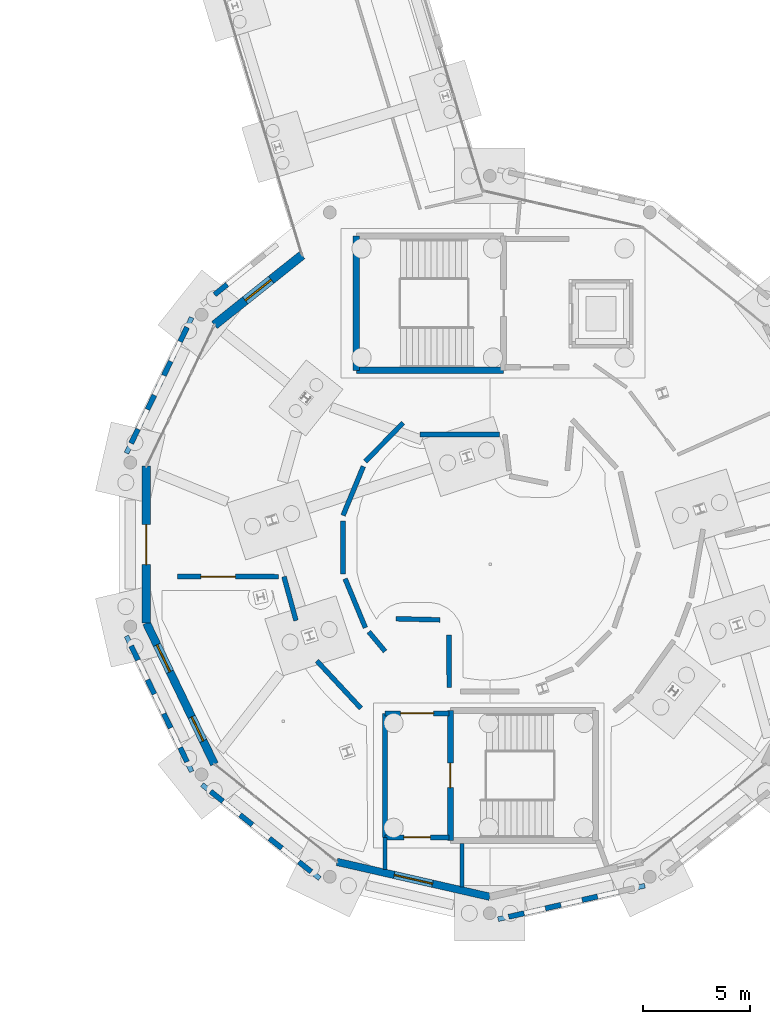
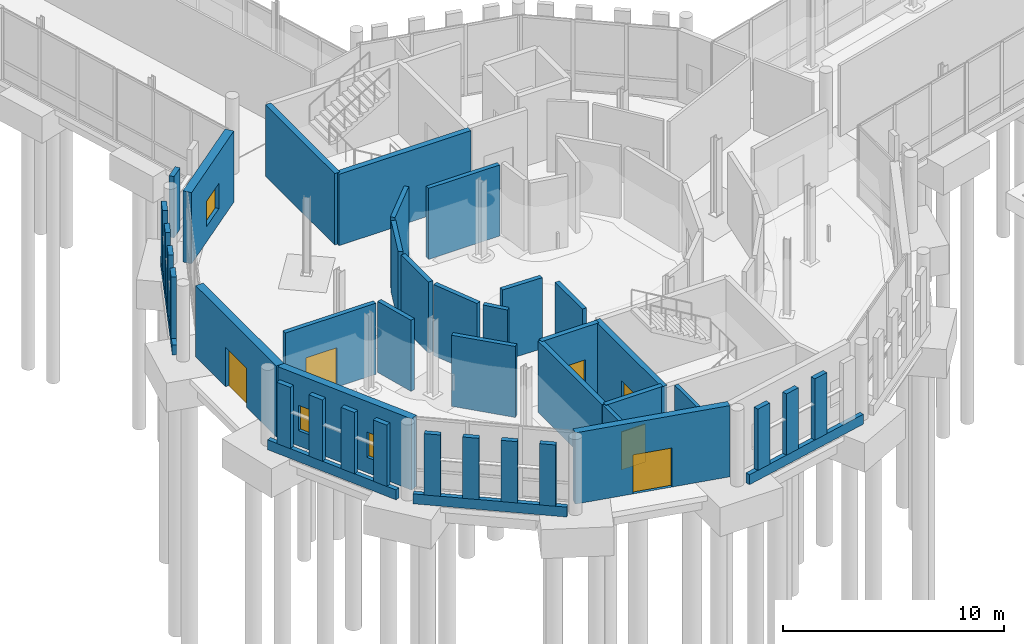
# One storey, part 78 of 113: 43 walls, 6 doors, 3 windows, 9 openings.
"""IFC4 building model written with IfcOpenShell, lengths in metres."""

from ifc_helpers import new_model, si_unit, direction, frame, frame_2d, origin, place, context, subcontext, project, spatial, rectangle, extrude, material, layer, layer_set, type_object, element, fill, save


model = new_model("IFC4")

# Units and contexts
model_context = context("Model", 3, precision=1e-05, world=origin(), true_north=direction((0.0, 1.0)))
body_context = subcontext(model_context, "Body", "Model", "MODEL_VIEW")
ifc_project = project(units=[si_unit("LENGTHUNIT", "METRE"), si_unit("AREAUNIT", "SQUARE_METRE"), si_unit("VOLUMEUNIT", "CUBIC_METRE"), si_unit("PLANEANGLEUNIT", "RADIAN"), si_unit("MASSUNIT", "GRAM", prefix="KILO")], contexts=[model_context])

# Site, building, storey
site_placement = place(None, origin())
site = spatial("IfcSite", under=ifc_project, at=site_placement, CompositionType="ELEMENT")
building_placement = place(site_placement, origin())
building = spatial("IfcBuilding", under=site, at=building_placement, Name="Wrenclough Park School", CompositionType="ELEMENT")
storey_placement = place(building_placement, origin())
storey = spatial("IfcBuildingStorey", under=building, at=storey_placement, Name="L00", CompositionType="ELEMENT", Elevation=0.0)

# Walls
ifc_material_1 = material(Name="Perforated open-bond Staffordshire and Manchester brick screen pier", Category="masonry")
ifc_layer_1 = layer(ifc_material_1, 0.2451171875)
ifc_layer_set_1 = layer_set([ifc_layer_1], Name="Perforated open-bond Staffordshire and Manchester brick screen pier")
wall_type_1 = type_object("IfcWallType", Name="ENV-BS-PR245", PredefinedType="ELEMENTEDWALL", material=ifc_layer_set_1)
wall_1_placement = place(storey_placement, frame((24.213134765625, 35.667724609375, 0.550048828125), z_axis=(0.0, 0.0, 1.0), x_axis=(-0.781839347248, -0.623479939609, 0.0)))
element("IfcWall", 1, at=wall_1_placement, inside=storey, type_object=wall_type_1, Name="D2 L00 perforated brick screen pier 0062", PredefinedType="ELEMENTEDWALL", context=body_context, shape_type="SweptSolid", body=[
    extrude(rectangle(XDim=0.760009765625, YDim=0.2451171875, at=frame_2d((0.3798828125, 0.0))), origin(), (0.0, 0.0, 1.0), 3.389892578125),
])
for number, where, z_axis, x_axis, name in (
    (2, (22.333984375, 33.665283203125, 0.550048828125), (0.0, 0.0, 1.0), (-0.433835457528, -0.900992117497, 0.0), "D2 L00 perforated brick screen pier 0063"),
    (3, (21.569580078125, 32.078125, 0.550048828125), (0.0, 0.0, 1.0), (-0.433835457528, -0.900992117497, 0.0), "D2 L00 perforated brick screen pier 0064"),
    (4, (20.805419921875, 30.49072265625, 0.550048828125), (0.0, 0.0, 1.0), (-0.434232252623, -0.90080094959, 0.0), "D2 L00 perforated brick screen pier 0065"),
):
    element("IfcWall", number, at=place(storey_placement, frame(where, z_axis=z_axis, x_axis=x_axis)), inside=storey, type_object=wall_type_1, Name=name, PredefinedType="ELEMENTEDWALL", context=body_context, shape_type="SweptSolid", body=[
        extrude(rectangle(XDim=0.739990234375, YDim=0.2451171875, at=frame_2d((0.3701171875, 0.0))), origin(), (0.0, 0.0, 1.0), 3.389892578125),
    ])
wall_2_placement = place(storey_placement, frame((20.041015625, 28.903564453125, 0.550048828125), z_axis=(0.0, 0.0, 1.0), x_axis=(-0.434103218961, -0.900863139044, 0.0)))
element("IfcWall", 5, at=wall_2_placement, inside=storey, type_object=wall_type_1, Name="D2 L00 perforated brick screen pier 0066", PredefinedType="ELEMENTEDWALL", context=body_context, shape_type="SweptSolid", body=[
    extrude(rectangle(XDim=0.740234375, YDim=0.2451171875, at=frame_2d((0.3701171875, 0.0))), origin(), (0.0, 0.0, 1.0), 3.389892578125),
])
for number, where, z_axis, x_axis, name in (
    (6, (19.719970703125, 18.76318359375, 0.550048828125), (0.0, 0.0, 1.0), (0.433835457528, -0.900992117497, 0.0), "D2 L00 perforated brick screen pier 0067"),
    (7, (20.484130859375, 17.17578125, 0.550048828125), (0.0, 0.0, 1.0), (0.434232252623, -0.90080094959, 0.0), "D2 L00 perforated brick screen pier 0068"),
    (8, (21.24853515625, 15.588623046875, 0.550048828125), (0.0, 0.0, 1.0), (0.433835457528, -0.900992117497, 0.0), "D2 L00 perforated brick screen pier 0069"),
    (9, (22.012939453125, 14.00146484375, 0.550048828125), (0.0, 0.0, 1.0), (0.433835457528, -0.900992117497, 0.0), "D2 L00 perforated brick screen pier 0070"),
    (10, (23.4365234375, 11.95166015625, 0.550048828125), (0.0, 0.0, 1.0), (0.781833401173, -0.623487395872, 0.0), "D2 L00 perforated brick screen pier 0071"),
    (11, (24.814208984375, 10.853271484375, 0.550048828125), (0.0, 0.0, 1.0), (0.781705112218, -0.623648232205, 0.0), "D2 L00 perforated brick screen pier 0072"),
    (12, (26.19140625, 9.754638671875, 0.550048828125), (0.0, 0.0, 1.0), (0.781833401173, -0.623487395872, 0.0), "D2 L00 perforated brick screen pier 0073"),
    (13, (27.56884765625, 8.65625, 0.550048828125), (0.0, 0.0, 1.0), (0.781833401173, -0.623487395872, 0.0), "D2 L00 perforated brick screen pier 0074"),
):
    element("IfcWall", number, at=place(storey_placement, frame(where, z_axis=z_axis, x_axis=x_axis)), inside=storey, type_object=wall_type_1, Name=name, PredefinedType="ELEMENTEDWALL", context=body_context, shape_type="SweptSolid", body=[
        extrude(rectangle(XDim=0.739990234375, YDim=0.2451171875, at=frame_2d((0.3701171875, 0.0))), origin(), (0.0, 0.0, 1.0), 3.389892578125),
    ])
wall_3_placement = place(storey_placement, frame((37.384521484375, 6.08642578125, 0.550048828125), z_axis=(0.0, 0.0, 1.0), x_axis=(0.974872842026, 0.2227620746, 0.0)))
element("IfcWall", 14, at=wall_3_placement, inside=storey, type_object=wall_type_1, Name="D2 L00 perforated brick screen pier 0075", PredefinedType="ELEMENTEDWALL", context=body_context, shape_type="SweptSolid", body=[
    extrude(rectangle(XDim=0.73974609375, YDim=0.2451171875, at=frame_2d((0.369873046875, 0.0))), origin(), (0.0, 0.0, 1.0), 3.389892578125),
])
wall_4_placement = place(storey_placement, frame((39.101806640625, 6.478515625, 0.550048828125), z_axis=(0.0, 0.0, 1.0), x_axis=(0.974960788757, 0.222376843189, 0.0)))
element("IfcWall", 15, at=wall_4_placement, inside=storey, type_object=wall_type_1, Name="D2 L00 perforated brick screen pier 0076", PredefinedType="ELEMENTEDWALL", context=body_context, shape_type="SweptSolid", body=[
    extrude(rectangle(XDim=0.739990234375, YDim=0.2451171875, at=frame_2d((0.3701171875, 0.0))), origin(), (0.0, 0.0, 1.0), 3.389892578125),
])
wall_5_placement = place(storey_placement, frame((40.819091796875, 6.87060546875, 0.550048828125), z_axis=(0.0, 0.0, 1.0), x_axis=(0.974977096703, 0.222305332604, 0.0)))
element("IfcWall", 16, at=wall_5_placement, inside=storey, type_object=wall_type_1, Name="D2 L00 perforated brick screen pier 0077", PredefinedType="ELEMENTEDWALL", context=body_context, shape_type="SweptSolid", body=[
    extrude(rectangle(XDim=0.740234375, YDim=0.2451171875, at=frame_2d((0.3701171875, 0.0))), origin(), (0.0, 0.0, 1.0), 3.389892578125),
])
ifc_material_2 = material(Name="Open-bond Manchester multi-stock brick spandrel screen", Category="masonry")
ifc_layer_2 = layer(ifc_material_2, 0.22509765625)
ifc_layer_set_2 = layer_set([ifc_layer_2], Name="Open-bond Manchester multi-stock brick spandrel screen")
wall_type_2 = type_object("IfcWallType", Name="ENV-BS-SP225", PredefinedType="ELEMENTEDWALL", material=ifc_layer_set_2)
for number, where, z_axis, x_axis, name in (
    (17, (22.5556640625, 34.12548828125, 0.0), (0.0, 0.0, 1.0), (-0.433873953058, -0.900973580555, 0.0), "D2 L00 open-bond brick screen spandrel 0016"),
    (18, (19.498291015625, 19.223388671875, 0.0), (0.0, 0.0, 1.0), (0.433873953058, -0.900973580555, 0.0), "D2 L00 open-bond brick screen spandrel 0017"),
):
    element("IfcWall", number, at=place(storey_placement, frame(where, z_axis=z_axis, x_axis=x_axis)), inside=storey, type_object=wall_type_2, Name=name, PredefinedType="ELEMENTEDWALL", context=body_context, shape_type="SweptSolid", body=[
        extrude(rectangle(XDim=7.046630859375, YDim=0.22509765625, at=frame_2d((3.5234375, 0.0))), origin(), (0.0, 0.0, 1.0), 0.550048828125),
    ])
wall_6_placement = place(storey_placement, frame((23.037109375, 12.270263671875, 0.0), z_axis=(0.0, 0.0, 1.0), x_axis=(0.781821002863, -0.623502942641, 0.0)))
element("IfcWall", 19, at=wall_6_placement, inside=storey, type_object=wall_type_2, Name="D2 L00 open-bond brick screen spandrel 0018", PredefinedType="ELEMENTEDWALL", context=body_context, shape_type="SweptSolid", body=[
    extrude(rectangle(XDim=7.04736328125, YDim=0.22509765625, at=frame_2d((3.523681640625, 0.0))), origin(), (0.0, 0.0, 1.0), 0.550048828125),
])
wall_7_placement = place(storey_placement, frame((36.886474609375, 5.972900390625, 0.0), z_axis=(0.0, 0.0, 1.0), x_axis=(0.974930278984, 0.222510564064, 0.0)))
element("IfcWall", 20, at=wall_7_placement, inside=storey, type_object=wall_type_2, Name="D2 L00 open-bond brick screen spandrel 0019", PredefinedType="ELEMENTEDWALL", context=body_context, shape_type="SweptSolid", body=[
    extrude(rectangle(XDim=7.04638671875, YDim=0.22509765625, at=frame_2d((3.523193359375, 0.0))), origin(), (0.0, 0.0, 1.0), 0.550048828125),
])

# Wall, opening, door
ifc_material_3 = material(Name="Staffordshire blue-grey brick and Concrete C35/45 inner leaf", Category="masonry")
ifc_layer_3 = layer(ifc_material_3, 0.35009765625)
ifc_layer_set_3 = layer_set([ifc_layer_3], Name="Staffordshire blue-grey brick and Concrete C35/45 inner leaf")
wall_type_3 = type_object("IfcWallType", Name="ENV-EW-350", PredefinedType="SOLIDWALL", material=ifc_layer_set_3)
wall_8_placement = place(storey_placement, frame((36.5, 7.023193359375, 0.0), z_axis=(0.0, 0.0, 1.0), x_axis=(-0.974932633187, 0.222500248868, 0.0)))
wall_8 = element("IfcWall", 21, at=wall_8_placement, inside=storey, type_object=wall_type_3, Name="L00 insulated brick external wall 0002", PredefinedType="SOLIDWALL", context=body_context, shape_type="SweptSolid", body=[
    extrude(rectangle(XDim=7.3330078125, YDim=0.35009765625, at=frame_2d((3.66650390625, 0.0))), origin(), (0.0, 0.0, 1.0), 3.93994140625),
])
opening_1_placement = place(wall_8_placement, frame((2.74658203125, 0.0, 0.0)))
opening_1 = element("IfcOpeningElement", 22, at=opening_1_placement, cuts=wall_8, Name="Opening EX-05", PredefinedType="OPENING", context=body_context, shape_type="SweptSolid", body=[
    extrude(rectangle(XDim=1.840087890625, YDim=2.159912109375, at=frame_2d((0.919921875, 1.080078125))), frame((0.0, 0.18505859375, 0.0), z_axis=(0.0, -1.0, 0.0), x_axis=(1.0, 0.0, 0.0)), (0.0, 0.0, 1.0), 0.3701171875),
])
ifc_material_4 = material(Name="Thermally broken powder-coated aluminium and laminated safety glass", Category="aluminium")
door_type_1 = type_object("IfcDoorType", Name="DR-EX184", OperationType="NOTDEFINED", PredefinedType="DOOR", material=ifc_material_4)
door_1_placement = place(opening_1_placement, origin())
door_1 = element("IfcDoor", 23, at=door_1_placement, inside=storey, type_object=door_type_1, Name="Pedestrian final exit door EX-05", OperationType="DOUBLE_DOOR_SINGLE_SWING", OverallHeight=2.159912109375, OverallWidth=1.840087890625, PredefinedType="DOOR", context=body_context, shape_type="SweptSolid", body=[
    extrude(rectangle(XDim=1.840087890625, YDim=2.159912109375, at=frame_2d((0.919921875, 1.080078125))), frame((0.0, 0.02490234375, 0.0), z_axis=(0.0, -1.0, 0.0), x_axis=(1.0, 0.0, 0.0)), (0.0, 0.0, 1.0), 0.050048828125),
])
fill(opening_1, door_1)

# Wall, openings, windows
ifc_material_5 = material(Name="Manchester multi-stock brick and Concrete C35/45 inner leaf", Category="masonry")
ifc_layer_4 = layer(ifc_material_5, 0.3798828125)
ifc_layer_set_4 = layer_set([ifc_layer_4], Name="Manchester multi-stock brick and Concrete C35/45 inner leaf")
wall_type_4 = type_object("IfcWallType", Name="ENV-EW-380", PredefinedType="SOLIDWALL", material=ifc_layer_set_4)
wall_9_placement = place(storey_placement, frame((23.617919921875, 13.226806640625, 0.0), z_axis=(0.0, 0.0, 1.0), x_axis=(-0.433886691468, 0.900967446119, 0.0)))
wall_9 = element("IfcWall", 24, at=wall_9_placement, inside=storey, type_object=wall_type_4, Name="L00 insulated brick external wall 0003", PredefinedType="SOLIDWALL", context=body_context, shape_type="SweptSolid", body=[
    extrude(rectangle(XDim=7.332763671875, YDim=0.3798828125, at=frame_2d((3.66650390625, 0.0))), origin(), (0.0, 0.0, 1.0), 3.93994140625),
])
opening_2_placement = place(wall_9_placement, frame((1.208251953125, 0.0, 0.85009765625)))
opening_2 = element("IfcOpeningElement", 25, at=opening_2_placement, cuts=wall_9, Name="Opening WN-04", PredefinedType="OPENING", context=body_context, shape_type="SweptSolid", body=[
    extrude(rectangle(XDim=1.25, YDim=1.39990234375, at=frame_2d((0.625, 0.699951171875))), frame((0.0, 0.199951171875, 0.0), z_axis=(0.0, -1.0, 0.0), x_axis=(1.0, 0.0, 0.0)), (0.0, 0.0, 1.0), 0.39990234375),
])
opening_3_placement = place(wall_9_placement, frame((4.7998046875, 0.0, 0.85009765625)))
opening_3 = element("IfcOpeningElement", 26, at=opening_3_placement, cuts=wall_9, Name="Opening WN-05", PredefinedType="OPENING", context=body_context, shape_type="SweptSolid", body=[
    extrude(rectangle(XDim=1.39990234375, YDim=1.39990234375, at=frame_2d((0.699951171875, 0.699951171875))), frame((0.0, 0.199951171875, 0.0), z_axis=(0.0, -1.0, 0.0), x_axis=(1.0, 0.0, 0.0)), (0.0, 0.0, 1.0), 0.39990234375),
])
ifc_material_6 = material(Name="Thermally broken aluminium and double-glazed low-e glass", Category="aluminium")
window_type_1 = type_object("IfcWindowType", Name="ENV-WN-04", PartitioningType="SINGLE_PANEL", PredefinedType="WINDOW", material=ifc_material_6)
window_1_placement = place(opening_2_placement, origin())
window_1 = element("IfcWindow", 27, at=window_1_placement, inside=storey, type_object=window_type_1, Name="L00 scheduled facade window 0003", OverallHeight=1.39990234375, OverallWidth=1.25, PartitioningType="SINGLE_PANEL", PredefinedType="WINDOW", context=body_context, shape_type="SweptSolid", body=[
    extrude(rectangle(XDim=1.25, YDim=1.39990234375, at=frame_2d((0.625, 0.699951171875))), frame((0.0, 0.030029296875, 0.0), z_axis=(0.0, -1.0, 0.0), x_axis=(1.0, 0.0, 0.0)), (0.0, 0.0, 1.0), 0.06005859375),
])
fill(opening_2, window_1)
window_type_2 = type_object("IfcWindowType", Name="ENV-WN-05", PartitioningType="SINGLE_PANEL", PredefinedType="WINDOW", material=ifc_material_6)
window_2_placement = place(opening_3_placement, origin())
window_2 = element("IfcWindow", 28, at=window_2_placement, inside=storey, type_object=window_type_2, Name="L00 scheduled facade window 0004", OverallHeight=1.39990234375, OverallWidth=1.39990234375, PartitioningType="SINGLE_PANEL", PredefinedType="WINDOW", context=body_context, shape_type="SweptSolid", body=[
    extrude(rectangle(XDim=1.39990234375, YDim=1.39990234375, at=frame_2d((0.699951171875, 0.699951171875))), frame((0.0, 0.030029296875, 0.0), z_axis=(0.0, -1.0, 0.0), x_axis=(1.0, 0.0, 0.0)), (0.0, 0.0, 1.0), 0.06005859375),
])
fill(opening_3, window_2)

# Wall, opening, door
ifc_material_7 = material(Name="Staffordshire blue-grey brick and Concrete C40/50 acoustic leaf", Category="masonry")
ifc_layer_5 = layer(ifc_material_7, 0.39990234375)
ifc_layer_set_5 = layer_set([ifc_layer_5], Name="Staffordshire blue-grey brick and Concrete C40/50 acoustic leaf")
wall_type_5 = type_object("IfcWallType", Name="ENV-EW-400", PredefinedType="SOLIDWALL", material=ifc_layer_set_5)
wall_10_placement = place(storey_placement, frame((20.436279296875, 19.83349609375, 0.0), z_axis=(0.0, 0.0, 1.0), x_axis=(0.0, 1.0, 0.0)))
wall_10 = element("IfcWall", 29, at=wall_10_placement, inside=storey, type_object=wall_type_5, Name="L00 insulated brick external wall 0004", PredefinedType="SOLIDWALL", context=body_context, shape_type="SweptSolid", body=[
    extrude(rectangle(XDim=7.3330078125, YDim=0.39990234375, at=frame_2d((3.66650390625, 0.0))), origin(), (0.0, 0.0, 1.0), 3.93994140625),
])
opening_4_placement = place(wall_10_placement, frame((2.726318359375, 0.0, 0.0)))
opening_4 = element("IfcOpeningElement", 30, at=opening_4_placement, cuts=wall_10, Name="Opening EX-04", PredefinedType="OPENING", context=body_context, shape_type="SweptSolid", body=[
    extrude(rectangle(XDim=1.8798828125, YDim=2.179931640625, at=frame_2d((0.93994140625, 1.08984375))), frame((0.0, 0.2099609375, 0.0), z_axis=(0.0, -1.0, 0.0), x_axis=(1.0, 0.0, 0.0)), (0.0, 0.0, 1.0), 0.419921875),
])
door_type_2 = type_object("IfcDoorType", Name="DR-EX188", OperationType="NOTDEFINED", PredefinedType="DOOR", material=ifc_material_4)
door_2_placement = place(opening_4_placement, origin())
door_2 = element("IfcDoor", 31, at=door_2_placement, inside=storey, type_object=door_type_2, Name="Pedestrian final exit door EX-04", OperationType="DOUBLE_DOOR_SINGLE_SWING", OverallHeight=2.179931640625, OverallWidth=1.8798828125, PredefinedType="DOOR", context=body_context, shape_type="SweptSolid", body=[
    extrude(rectangle(XDim=1.8798828125, YDim=2.179931640625, at=frame_2d((0.93994140625, 1.08984375))), frame((0.0, 0.02490234375, 0.0), z_axis=(0.0, -1.0, 0.0), x_axis=(1.0, 0.0, 0.0)), (0.0, 0.0, 1.0), 0.050048828125),
])
fill(opening_4, door_2)

# Wall, opening, window
ifc_material_8 = material(Name="Insulated brick-clad sports hall wall Concrete C40/50", Category="masonry")
ifc_layer_6 = layer(ifc_material_8, 0.425048828125)
ifc_layer_set_6 = layer_set([ifc_layer_6], Name="Insulated brick-clad sports hall wall Concrete C40/50")
wall_type_6 = type_object("IfcWallType", Name="ENV-EW-425", PredefinedType="SOLIDWALL", material=ifc_layer_set_6)
wall_11_placement = place(storey_placement, frame((23.617919921875, 33.773193359375, 0.0), z_axis=(0.0, 0.0, 1.0), x_axis=(0.781826790272, 0.623495685641, 0.0)))
wall_11 = element("IfcWall", 32, at=wall_11_placement, inside=storey, type_object=wall_type_6, Name="L00 insulated brick external wall 0005", PredefinedType="SOLIDWALL", context=body_context, shape_type="SweptSolid", body=[
    extrude(rectangle(XDim=5.2412109375, YDim=0.425048828125, at=frame_2d((2.62060546875, 0.0))), origin(), (0.0, 0.0, 1.0), 3.93994140625),
])
opening_5_placement = place(wall_11_placement, frame((1.845458984375, 0.0, 0.85009765625)))
opening_5 = element("IfcOpeningElement", 33, at=opening_5_placement, cuts=wall_11, Name="Opening WN-06", PredefinedType="OPENING", context=body_context, shape_type="SweptSolid", body=[
    extrude(rectangle(XDim=1.550048828125, YDim=1.39990234375, at=frame_2d((0.77490234375, 0.699951171875))), frame((0.0, 0.222412109375, 0.0), z_axis=(0.0, -1.0, 0.0), x_axis=(1.0, 0.0, 0.0)), (0.0, 0.0, 1.0), 0.445068359375),
])
window_type_3 = type_object("IfcWindowType", Name="ENV-WN-06", PartitioningType="DOUBLE_PANEL_VERTICAL", PredefinedType="WINDOW", material=ifc_material_6)
window_3_placement = place(opening_5_placement, origin())
window_3 = element("IfcWindow", 34, at=window_3_placement, inside=storey, type_object=window_type_3, Name="L00 scheduled facade window 0005", OverallHeight=1.39990234375, OverallWidth=1.550048828125, PartitioningType="SINGLE_PANEL", PredefinedType="WINDOW", context=body_context, shape_type="SweptSolid", body=[
    extrude(rectangle(XDim=1.550048828125, YDim=1.39990234375, at=frame_2d((0.77490234375, 0.699951171875))), frame((0.0, 0.030029296875, 0.0), z_axis=(0.0, -1.0, 0.0), x_axis=(1.0, 0.0, 0.0)), (0.0, 0.0, 1.0), 0.06005859375),
])
fill(opening_5, window_3)

# Wall, opening, door
ifc_material_9 = material(Name="Concrete C35/45", Category="concrete")
ifc_layer_7 = layer(ifc_material_9, 0.25)
ifc_layer_set_7 = layer_set([ifc_layer_7], Name="Concrete C35/45")
wall_type_7 = type_object("IfcWallType", Name="INT-CW-250", PredefinedType="SHEAR", material=ifc_layer_set_7)
wall_12_placement = place(storey_placement, frame((31.60009765625, 9.800048828125, 0.0), z_axis=(0.0, 0.0, 1.0), x_axis=(1.0, 0.0, 0.0)))
wall_12 = element("IfcWall", 35, at=wall_12_placement, inside=storey, type_object=wall_type_7, Name="Core C2B L00 lobby fire wall south", PredefinedType="SHEAR", context=body_context, shape_type="SweptSolid", body=[
    extrude(rectangle(XDim=3.0, YDim=0.25, at=frame_2d((1.5, 0.0))), origin(), (0.0, 0.0, 1.0), 3.949951171875),
])
opening_6_placement = place(wall_12_placement, frame((0.875, 0.0, 0.0)))
opening_6 = element("IfcOpeningElement", 36, at=opening_6_placement, cuts=wall_12, Name="Opening DEP-C2B-L00", PredefinedType="OPENING", context=body_context, shape_type="SweptSolid", body=[
    extrude(rectangle(XDim=1.25, YDim=2.10009765625, at=frame_2d((0.625, 1.050048828125))), frame((0.0, 0.135009765625, 0.0), z_axis=(0.0, -1.0, 0.0), x_axis=(1.0, 0.0, 0.0)), (0.0, 0.0, 1.0), 0.27001953125),
])
ifc_material_10 = material(Name="Wide protected escape stair fire door assembly", Category="wood")
door_type_3 = type_object("IfcDoorType", Name="INT-DR-ST125", OperationType="NOTDEFINED", PredefinedType="DOOR", material=ifc_material_10)
door_3_placement = place(opening_6_placement, frame((1.25, 0.0, 0.0), z_axis=(0.0, 0.0, 1.0), x_axis=(-1.0, 0.0, 0.0)))
door_3 = element("IfcDoor", 37, at=door_3_placement, inside=storey, type_object=door_type_3, Name="Core C2B L00 protected exit passageway fire door", OperationType="SINGLE_SWING_LEFT", OverallHeight=2.10009765625, OverallWidth=1.25, PredefinedType="DOOR", context=body_context, shape_type="SweptSolid", body=[
    extrude(rectangle(XDim=1.25, YDim=2.10009765625, at=frame_2d((0.625, 1.050048828125))), frame((0.0, 0.02490234375, 0.0), z_axis=(0.0, -1.0, 0.0), x_axis=(1.0, 0.0, 0.0)), (0.0, 0.0, 1.0), 0.050048828125),
])
fill(opening_6, door_3)

wall_13_placement = place(storey_placement, frame((34.60009765625, 15.60009765625, 0.0), z_axis=(0.0, 0.0, 1.0), x_axis=(-1.0, 0.0, 0.0)))
wall_13 = element("IfcWall", 38, at=wall_13_placement, inside=storey, type_object=wall_type_7, Name="Core C2B L00 lobby fire wall north", PredefinedType="SHEAR", context=body_context, shape_type="SweptSolid", body=[
    extrude(rectangle(XDim=3.0, YDim=0.25, at=frame_2d((1.5, 0.0))), origin(), (0.0, 0.0, 1.0), 3.949951171875),
])
opening_7_placement = place(wall_13_placement, frame((0.72509765625, 0.0, 0.0)))
opening_7 = element("IfcOpeningElement", 39, at=opening_7_placement, cuts=wall_13, Name="Opening DLB-C2B-L00", PredefinedType="OPENING", context=body_context, shape_type="SweptSolid", body=[
    extrude(rectangle(XDim=1.550048828125, YDim=2.14990234375, at=frame_2d((0.77490234375, 1.074951171875))), frame((0.0, 0.135009765625, 0.0), z_axis=(0.0, -1.0, 0.0), x_axis=(1.0, 0.0, 0.0)), (0.0, 0.0, 1.0), 0.27001953125),
])
ifc_material_11 = material(Name="Protected stair lobby double fire door assembly", Category="wood")
door_type_4 = type_object("IfcDoorType", Name="INT-DR-LB155", OperationType="NOTDEFINED", PredefinedType="DOOR", material=ifc_material_11)
door_4_placement = place(opening_7_placement, frame((1.550048828125, 0.0, 0.0), z_axis=(0.0, 0.0, 1.0), x_axis=(-1.0, 0.0, 0.0)))
door_4 = element("IfcDoor", 40, at=door_4_placement, inside=storey, type_object=door_type_4, Name="Core C2B L00 protected lobby fire door", OperationType="DOUBLE_DOOR_SINGLE_SWING", OverallHeight=2.14990234375, OverallWidth=1.550048828125, PredefinedType="DOOR", context=body_context, shape_type="SweptSolid", body=[
    extrude(rectangle(XDim=1.550048828125, YDim=2.14990234375, at=frame_2d((0.77490234375, 1.074951171875))), frame((0.0, 0.02490234375, 0.0), z_axis=(0.0, -1.0, 0.0), x_axis=(1.0, 0.0, 0.0)), (0.0, 0.0, 1.0), 0.050048828125),
])
fill(opening_7, door_4)

# Walls
wall_14_placement = place(storey_placement, frame((31.60009765625, 15.60009765625, 0.0), z_axis=(0.0, 0.0, 1.0), x_axis=(0.0, -1.0, 0.0)))
element("IfcWall", 41, at=wall_14_placement, inside=storey, type_object=wall_type_7, Name="Core C2B L00 lobby fire wall west", PredefinedType="SHEAR", context=body_context, shape_type="SweptSolid", body=[
    extrude(rectangle(XDim=5.800048828125, YDim=0.25, at=frame_2d((2.89990234375, 0.0))), origin(), (0.0, 0.0, 1.0), 3.949951171875),
])
ifc_material_12 = material(Name="Concrete C40/50", Category="concrete")
ifc_layer_8 = layer(ifc_material_12, 0.2900390625)
ifc_layer_set_8 = layer_set([ifc_layer_8], Name="Concrete C40/50")
wall_type_8 = type_object("IfcWallType", Name="INT-CW-290", PredefinedType="SHEAR", material=ifc_layer_set_8)
wall_15_placement = place(storey_placement, frame((30.2548828125, 31.655029296875, 0.0), z_axis=(0.0, 0.0, 1.0), x_axis=(1.0, 0.0, 0.0)))
element("IfcWall", 42, at=wall_15_placement, inside=storey, type_object=wall_type_8, Name="Core C2 L00 south shear wall", PredefinedType="SHEAR", context=body_context, shape_type="SweptSolid", body=[
    extrude(rectangle(XDim=6.89013671875, YDim=0.2900390625, at=frame_2d((3.445068359375, 0.0))), origin(), (0.0, 0.0, 1.0), 3.949951171875),
])
wall_16_placement = place(storey_placement, frame((30.2548828125, 37.945068359375, 0.0), z_axis=(0.0, 0.0, 1.0), x_axis=(0.0, -1.0, 0.0)))
element("IfcWall", 43, at=wall_16_placement, inside=storey, type_object=wall_type_8, Name="Core C2 L00 west shear wall", PredefinedType="SHEAR", context=body_context, shape_type="SweptSolid", body=[
    extrude(rectangle(XDim=6.2900390625, YDim=0.2900390625, at=frame_2d((3.14501953125, 0.0))), origin(), (0.0, 0.0, 1.0), 3.949951171875),
])

# Wall, opening, door
wall_17_placement = place(storey_placement, frame((34.655029296875, 15.7451171875, 0.0), z_axis=(0.0, 0.0, 1.0), x_axis=(0.0, -1.0, 0.0)))
wall_17 = element("IfcWall", 44, at=wall_17_placement, inside=storey, type_object=wall_type_8, Name="Core C2B L00 west shear wall", PredefinedType="SHEAR", context=body_context, shape_type="SweptSolid", body=[
    extrude(rectangle(XDim=6.090087890625, YDim=0.2900390625, at=frame_2d((3.044921875, 0.0))), origin(), (0.0, 0.0, 1.0), 3.949951171875),
])
opening_8_placement = place(wall_17_placement, frame((2.469970703125, 0.0, 0.0)))
opening_8 = element("IfcOpeningElement", 45, at=opening_8_placement, cuts=wall_17, Name="Opening DST-C2B-L00", PredefinedType="OPENING", context=body_context, shape_type="SweptSolid", body=[
    extrude(rectangle(XDim=1.14990234375, YDim=2.10009765625, at=frame_2d((0.574951171875, 1.050048828125))), frame((0.0, 0.155029296875, 0.0), z_axis=(0.0, -1.0, 0.0), x_axis=(1.0, 0.0, 0.0)), (0.0, 0.0, 1.0), 0.31005859375),
])
ifc_material_13 = material(Name="Protected escape stair single fire door assembly", Category="wood")
door_type_5 = type_object("IfcDoorType", Name="INT-DR-ST115", OperationType="NOTDEFINED", PredefinedType="DOOR", material=ifc_material_13)
door_5_placement = place(opening_8_placement, frame((1.14990234375, 0.0, 0.0), z_axis=(0.0, 0.0, 1.0), x_axis=(-1.0, 0.0, 0.0)))
door_5 = element("IfcDoor", 46, at=door_5_placement, inside=storey, type_object=door_type_5, Name="Stair ST-13 L00 fire door", OperationType="SINGLE_SWING_LEFT", OverallHeight=2.10009765625, OverallWidth=1.14990234375, PredefinedType="DOOR", context=body_context, shape_type="SweptSolid", body=[
    extrude(rectangle(XDim=1.14990234375, YDim=2.10009765625, at=frame_2d((0.574951171875, 1.050048828125))), frame((0.0, 0.02490234375, 0.0), z_axis=(0.0, -1.0, 0.0), x_axis=(1.0, 0.0, 0.0)), (0.0, 0.0, 1.0), 0.050048828125),
])
fill(opening_8, door_5)

# Walls
ifc_material_14 = material(Name="Laboratory fire and acoustic partition", Category="gypsum")
ifc_layer_9 = layer(ifc_material_14, 0.18505859375)
ifc_layer_set_9 = layer_set([ifc_layer_9], Name="Laboratory fire and acoustic partition")
wall_type_9 = type_object("IfcWallType", Name="INT-PW-185", PredefinedType="PARTITIONING", material=ifc_layer_set_9)
wall_18_placement = place(storey_placement, frame((35.199951171875, 7.4833984375, 0.0), z_axis=(0.0, 0.0, 1.0), x_axis=(0.0, 1.0, 0.0)))
element("IfcWall", 47, at=wall_18_placement, inside=storey, type_object=wall_type_9, Name="L00 protected exit passageway EI 60 wall 0007", PredefinedType="PARTITIONING", context=body_context, shape_type="SweptSolid", body=[
    extrude(rectangle(XDim=2.024658203125, YDim=0.18505859375, at=frame_2d((1.01220703125, 0.0))), origin(), (0.0, 0.0, 1.0), 3.929931640625),
])
wall_19_placement = place(storey_placement, frame((31.60009765625, 9.799072265625, 0.0), z_axis=(0.0, 0.0, 1.0), x_axis=(0.0, -1.0, 0.0)))
element("IfcWall", 48, at=wall_19_placement, inside=storey, type_object=wall_type_9, Name="L00 protected exit passageway EI 60 wall 0008", PredefinedType="PARTITIONING", context=body_context, shape_type="SweptSolid", body=[
    extrude(rectangle(XDim=1.494140625, YDim=0.18505859375, at=frame_2d((0.7470703125, 0.0))), origin(), (0.0, 0.0, 1.0), 3.929931640625),
])
ifc_material_15 = material(Name="Twin-frame acoustic gypsum board 60 dB Rw", Category="gypsum")
ifc_layer_10 = layer(ifc_material_15, 0.22509765625)
ifc_layer_set_10 = layer_set([ifc_layer_10], Name="Twin-frame acoustic gypsum board 60 dB Rw")
wall_type_10 = type_object("IfcWallType", Name="INT-PW-225", PredefinedType="PARTITIONING", material=ifc_layer_set_10)
wall_20_placement = place(storey_placement, frame((30.4677734375, 15.843994140625, 0.0), z_axis=(0.0, 0.0, 1.0), x_axis=(-0.680599903588, 0.732655288138, 0.0)))
element("IfcWall", 49, at=wall_20_placement, inside=storey, type_object=wall_type_10, Name="L00 internal partition 0063", PredefinedType="PARTITIONING", context=body_context, shape_type="SweptSolid", body=[
    extrude(rectangle(XDim=3.020263671875, YDim=0.22509765625, at=frame_2d((1.51025390625, 0.0))), origin(), (0.0, 0.0, 1.0), 3.929931640625),
])
wall_21_placement = place(storey_placement, frame((27.43212890625, 19.9453125, 0.0), z_axis=(0.0, 0.0, 1.0), x_axis=(-0.263515032184, 0.964655289631, 0.0)))
element("IfcWall", 50, at=wall_21_placement, inside=storey, type_object=wall_type_10, Name="L00 internal partition 0064", PredefinedType="PARTITIONING", context=body_context, shape_type="SweptSolid", body=[
    extrude(rectangle(XDim=2.1298828125, YDim=0.22509765625, at=frame_2d((1.06494140625, 0.0))), origin(), (0.0, 0.0, 1.0), 3.929931640625),
])

# Wall, opening, door
wall_22_placement = place(storey_placement, frame((26.62109375, 22.000244140625, 0.0), z_axis=(0.0, 0.0, 1.0), x_axis=(-0.999999738615, 0.000723028267, 0.0)))
wall_22 = element("IfcWall", 51, at=wall_22_placement, inside=storey, type_object=wall_type_10, Name="L00 internal partition 0065", PredefinedType="PARTITIONING", context=body_context, shape_type="SweptSolid", body=[
    extrude(rectangle(XDim=4.727294921875, YDim=0.22509765625, at=frame_2d((2.36376953125, 0.0))), origin(), (0.0, 0.0, 1.0), 3.929931640625),
])
opening_9_placement = place(wall_22_placement, frame((2.019775390625, 0.0, 0.0)))
opening_9 = element("IfcOpeningElement", 52, at=opening_9_placement, cuts=wall_22, Name="Opening DR-L00-006", PredefinedType="OPENING", context=body_context, shape_type="SweptSolid", body=[
    extrude(rectangle(XDim=1.6201171875, YDim=2.179931640625, at=frame_2d((0.81005859375, 1.08984375))), frame((0.0, 0.12255859375, 0.0), z_axis=(0.0, -1.0, 0.0), x_axis=(1.0, 0.0, 0.0)), (0.0, 0.0, 1.0), 0.2451171875),
])
ifc_material_16 = material(Name="Acoustic music and drama studio double door assembly", Category="wood")
door_type_6 = type_object("IfcDoorType", Name="INT-DR-STU162", OperationType="NOTDEFINED", PredefinedType="DOOR", material=ifc_material_16)
door_6_placement = place(opening_9_placement, origin())
door_6 = element("IfcDoor", 53, at=door_6_placement, inside=storey, type_object=door_type_6, Name="Drama Black-Box Studio door DR-L00-006", OperationType="DOUBLE_DOOR_SINGLE_SWING", OverallHeight=2.179931640625, OverallWidth=1.6201171875, PredefinedType="DOOR", context=body_context, shape_type="SweptSolid", body=[
    extrude(rectangle(XDim=1.6201171875, YDim=2.179931640625, at=frame_2d((0.81005859375, 1.08984375))), frame((0.0, 0.02490234375, 0.0), z_axis=(0.0, -1.0, 0.0), x_axis=(1.0, 0.0, 0.0)), (0.0, 0.0, 1.0), 0.050048828125),
])
fill(opening_9, door_6)

# Walls
wall_23_placement = place(storey_placement, frame((36.9501953125, 28.650390625, 0.0), z_axis=(0.0, 0.0, 1.0), x_axis=(-0.999999053484, 0.001375875, 0.0)))
element("IfcWall", 54, at=wall_23_placement, inside=storey, type_object=wall_type_10, Name="L00 internal partition 0082", PredefinedType="PARTITIONING", context=body_context, shape_type="SweptSolid", body=[
    extrude(rectangle(XDim=3.726318359375, YDim=0.22509765625, at=frame_2d((1.86328125, 0.0))), origin(), (0.0, 0.0, 1.0), 3.929931640625),
])
wall_24_placement = place(storey_placement, frame((32.442138671875, 29.195068359375, 0.0), z_axis=(0.0, 0.0, 1.0), x_axis=(-0.698395175587, -0.715712357527, 0.0)))
element("IfcWall", 55, at=wall_24_placement, inside=storey, type_object=wall_type_10, Name="L00 internal partition 0083", PredefinedType="PARTITIONING", context=body_context, shape_type="SweptSolid", body=[
    extrude(rectangle(XDim=2.523681640625, YDim=0.22509765625, at=frame_2d((1.26171875, 0.0))), origin(), (0.0, 0.0, 1.0), 3.929931640625),
])
wall_25_placement = place(storey_placement, frame((30.583984375, 27.158203125, 0.0), z_axis=(0.0, 0.0, 1.0), x_axis=(-0.382609569979, -0.923910123854, 0.0)))
element("IfcWall", 56, at=wall_25_placement, inside=storey, type_object=wall_type_10, Name="L00 internal partition 0084", PredefinedType="PARTITIONING", context=body_context, shape_type="SweptSolid", body=[
    extrude(rectangle(XDim=2.4814453125, YDim=0.22509765625, at=frame_2d((1.24072265625, 0.0))), origin(), (0.0, 0.0, 1.0), 3.929931640625),
])
wall_26_placement = place(storey_placement, frame((29.634521484375, 24.615478515625, 0.0), z_axis=(0.0, 0.0, 1.0), x_axis=(0.0, -1.0, 0.0)))
element("IfcWall", 57, at=wall_26_placement, inside=storey, type_object=wall_type_10, Name="L00 internal partition 0085", PredefinedType="PARTITIONING", context=body_context, shape_type="SweptSolid", body=[
    extrude(rectangle(XDim=2.48095703125, YDim=0.22509765625, at=frame_2d((1.240478515625, 0.0))), origin(), (0.0, 0.0, 1.0), 3.929931640625),
])
wall_27_placement = place(storey_placement, frame((29.730224609375, 21.9033203125, 0.0), z_axis=(0.0, 0.0, 1.0), x_axis=(0.382679137355, -0.923881311551, 0.0)))
element("IfcWall", 58, at=wall_27_placement, inside=storey, type_object=wall_type_10, Name="L00 internal partition 0086", PredefinedType="PARTITIONING", context=body_context, shape_type="SweptSolid", body=[
    extrude(rectangle(XDim=2.481201171875, YDim=0.22509765625, at=frame_2d((1.24072265625, 0.0))), origin(), (0.0, 0.0, 1.0), 3.929931640625),
])
wall_28_placement = place(storey_placement, frame((30.839599609375, 19.4189453125, 0.0), z_axis=(0.0, 0.0, 1.0), x_axis=(0.63967929126, -0.76864192205, 0.0)))
element("IfcWall", 59, at=wall_28_placement, inside=storey, type_object=wall_type_10, Name="L00 internal partition 0087", PredefinedType="PARTITIONING", context=body_context, shape_type="SweptSolid", body=[
    extrude(rectangle(XDim=1.18896484375, YDim=0.22509765625, at=frame_2d((0.594482421875, 0.0))), origin(), (0.0, 0.0, 1.0), 3.929931640625),
])
wall_29_placement = place(storey_placement, frame((32.116943359375, 20.029541015625, 0.0), z_axis=(0.0, 0.0, 1.0), x_axis=(0.999695996787, -0.024655912229, 0.0)))
element("IfcWall", 60, at=wall_29_placement, inside=storey, type_object=wall_type_10, Name="L00 internal partition 0088", PredefinedType="PARTITIONING", context=body_context, shape_type="SweptSolid", body=[
    extrude(rectangle(XDim=2.0498046875, YDim=0.22509765625, at=frame_2d((1.02490234375, 0.0))), origin(), (0.0, 0.0, 1.0), 3.929931640625),
])
wall_30_placement = place(storey_placement, frame((34.59423828125, 19.264404296875, 0.0), z_axis=(0.0, 0.0, 1.0), x_axis=(0.002283325727, -0.999997393208, 0.0)))
element("IfcWall", 61, at=wall_30_placement, inside=storey, type_object=wall_type_10, Name="L00 internal partition 0089", PredefinedType="PARTITIONING", context=body_context, shape_type="SweptSolid", body=[
    extrude(rectangle(XDim=2.459228515625, YDim=0.22509765625, at=frame_2d((1.2294921875, 0.0))), origin(), (0.0, 0.0, 1.0), 3.929931640625),
])

save(model, "model.ifc")
